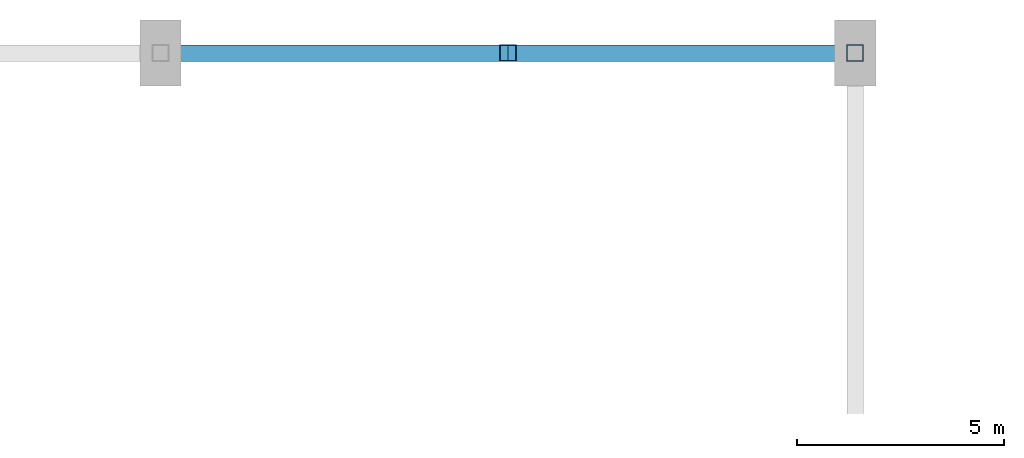
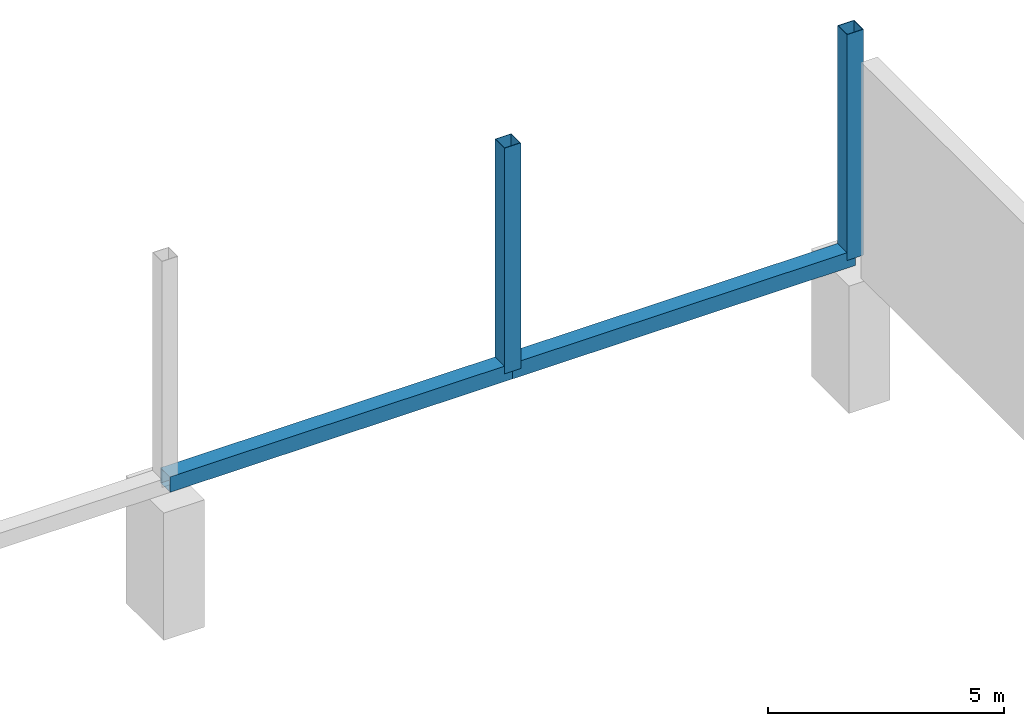
# One storey, part 63 of 163: 4 members.
"""IFC4 building model written with IfcOpenShell, lengths in metres."""

from ifc_helpers import new_model, si_unit, direction, frame, origin, origin_2d, place, context, subcontext, project, spatial, hollow_rectangle, extrude, material, material_profile, profile_set, type_object, element, save


model = new_model("IFC4")

# Units and contexts
model_context = context("Model", 3, precision=1e-05, world=origin(), true_north=direction((0.0, 1.0)))
body_context = subcontext(model_context, "Body", "Model", "MODEL_VIEW")
ifc_project = project(units=[si_unit("LENGTHUNIT", "METRE"), si_unit("AREAUNIT", "SQUARE_METRE"), si_unit("VOLUMEUNIT", "CUBIC_METRE"), si_unit("PLANEANGLEUNIT", "RADIAN"), si_unit("MASSUNIT", "GRAM", prefix="KILO")], contexts=[model_context])

# Site, building, storey
site_placement = place(None, origin())
site = spatial("IfcSite", under=ifc_project, at=site_placement, CompositionType="ELEMENT")
building_placement = place(site_placement, origin())
building = spatial("IfcBuilding", under=site, at=building_placement, Name="Rain Tree Exposition and Congress Centre", CompositionType="ELEMENT")
storey_placement = place(building_placement, frame((0.0, 0.0, 10.5)))
storey = spatial("IfcBuildingStorey", under=building, at=storey_placement, Name="L02", CompositionType="ELEMENT", Elevation=10.5)

# Members
ifc_material_1 = material(Name="Steel S355J2H", Category="steel")
ifc_material_profile_1 = material_profile(ifc_material_1, hollow_rectangle(XDim=0.39990234375, YDim=0.39990234375, WallThickness=0.011962890625, at=origin_2d()), Name="RHS 400x400x12")
ifc_profile_set_1 = profile_set([ifc_material_profile_1], Name="Steel S355J2H")
member_type_1 = type_object("IfcMemberType", Name="Steel chord member RHS 400x400x12", PredefinedType="CHORD", material=ifc_profile_set_1)
member_1_placement = place(storey_placement, frame((226.800048828125, 201.60009765625, 3.5), z_axis=(1.0, 0.0, 0.0), x_axis=(0.0, 1.0, 0.0)))
element("IfcMember", 1, at=member_1_placement, inside=storey, type_object=member_type_1, Name="Eaves chord 1188", PredefinedType="CHORD", context=body_context, shape_type="SweptSolid", body=[
    extrude(hollow_rectangle(XDim=0.39990234375, YDim=0.39990234375, WallThickness=0.011962890625, at=origin_2d()), origin(), (0.0, 0.0, 1.0), 8.39990234375),
])
member_2_placement = place(storey_placement, frame((235.199951171875, 201.60009765625, 3.5), z_axis=(1.0, 0.0, 0.0), x_axis=(0.0, 1.0, 0.0)))
element("IfcMember", 2, at=member_2_placement, inside=storey, type_object=member_type_1, Name="Eaves chord 1189", PredefinedType="CHORD", context=body_context, shape_type="SweptSolid", body=[
    extrude(hollow_rectangle(XDim=0.39990234375, YDim=0.39990234375, WallThickness=0.011962890625, at=origin_2d()), origin(), (0.0, 0.0, 1.0), 8.400146484375),
])
ifc_material_2 = material(Name="Steel S355J2H", Category="steel")
ifc_material_profile_2 = material_profile(ifc_material_2, hollow_rectangle(XDim=0.39990234375, YDim=0.39990234375, WallThickness=0.011962890625, at=origin_2d()), Name="RHS 400x400x12")
ifc_profile_set_2 = profile_set([ifc_material_profile_2], Name="Steel S355J2H")
member_type_2 = type_object("IfcMemberType", Name="Steel post member RHS 400x400x12", PredefinedType="POST", material=ifc_profile_set_2)
for number, where, z_axis, x_axis, name in (
    (3, (235.199951171875, 201.60009765625, 3.5), (0.0, 0.0, 1.0), (1.0, 0.0, 0.0), "Eaves post 1201"),
    (4, (243.60009765625, 201.60009765625, 3.5), (0.0, 0.0, 1.0), (1.0, 0.0, 0.0), "Eaves post 1202"),
):
    element("IfcMember", number, at=place(storey_placement, frame(where, z_axis=z_axis, x_axis=x_axis)), inside=storey, type_object=member_type_2, Name=name, PredefinedType="POST", context=body_context, shape_type="SweptSolid", body=[
        extrude(hollow_rectangle(XDim=0.39990234375, YDim=0.39990234375, WallThickness=0.011962890625, at=origin_2d()), origin(), (0.0, 0.0, 1.0), 5.85009765625),
    ])

save(model, "model.ifc")
